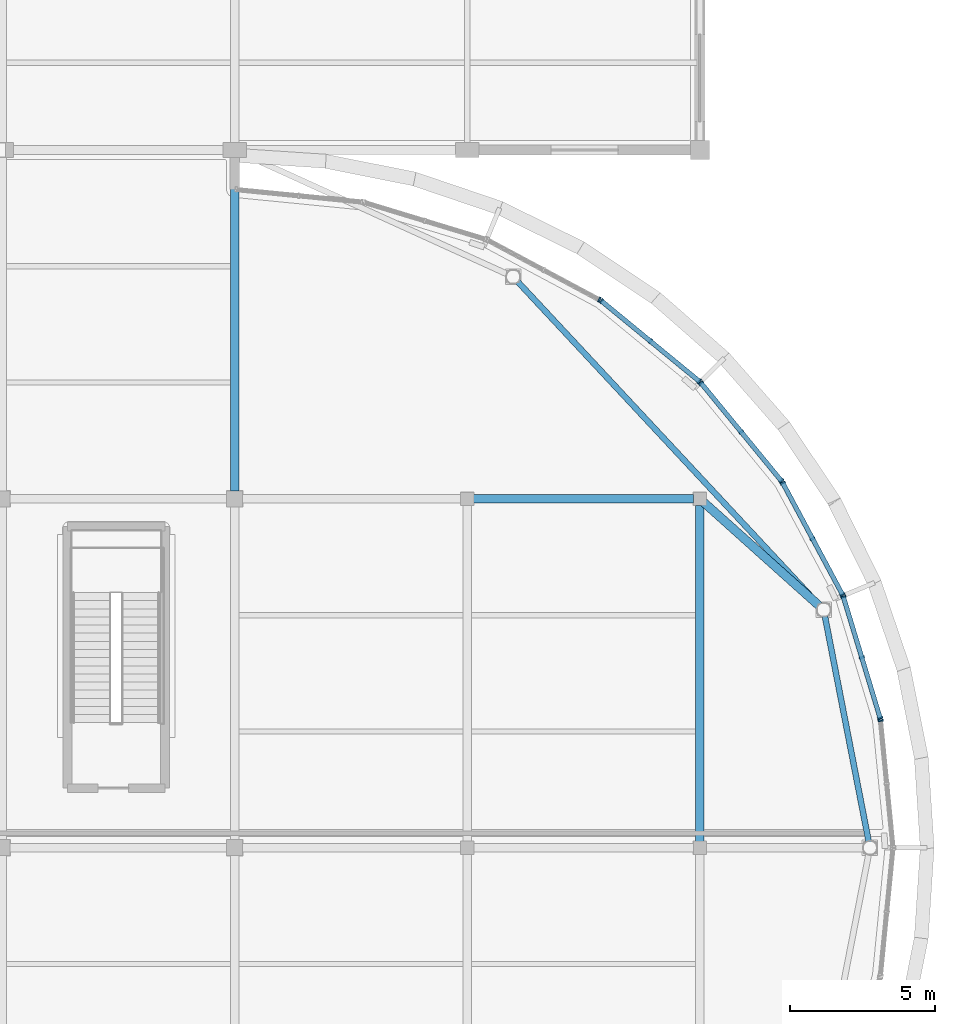
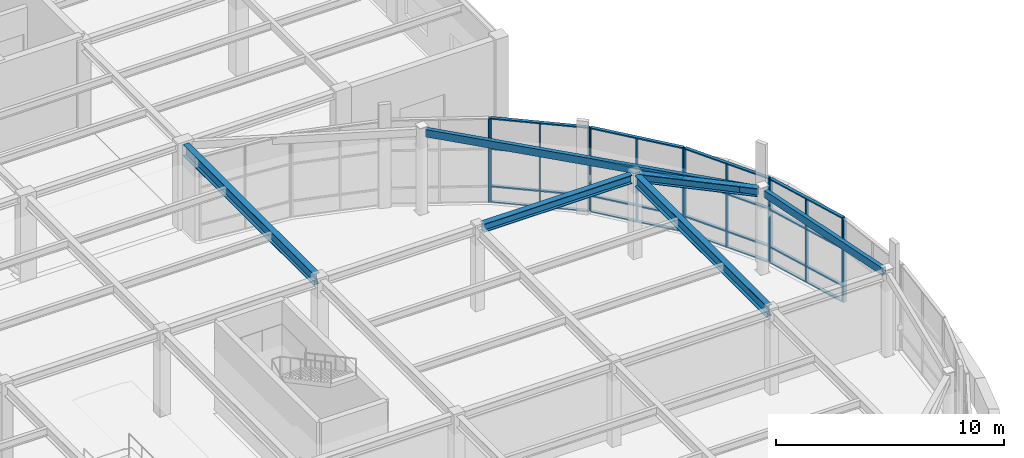
# One storey, part 28 of 63: 30 members, 6 beams, 6 elements without a shape of their own.
"""IFC4 building model written with IfcOpenShell, lengths in metres."""

from ifc_helpers import new_model, si_unit, direction, frame, origin, origin_2d, place, context, subcontext, project, spatial, rectangle, hollow_rectangle, i_section, extrude, material, layer, layer_set, material_profile, profile_set, type_object, element, aggregate, save


model = new_model("IFC4")

# Units and contexts
model_context = context("Model", 3, precision=1e-05, world=origin(), true_north=direction((0.0, 1.0)))
body_context = subcontext(model_context, "Body", "Model", "MODEL_VIEW")
ifc_project = project(units=[si_unit("LENGTHUNIT", "METRE"), si_unit("AREAUNIT", "SQUARE_METRE"), si_unit("VOLUMEUNIT", "CUBIC_METRE"), si_unit("PLANEANGLEUNIT", "RADIAN"), si_unit("MASSUNIT", "GRAM", prefix="KILO")], contexts=[model_context])

# Site, building, storey
site_placement = place(None, origin())
site = spatial("IfcSite", under=ifc_project, at=site_placement, CompositionType="ELEMENT")
building_placement = place(site_placement, origin())
building = spatial("IfcBuilding", under=site, at=building_placement, Name="Keelwater Ferry Terminal", CompositionType="ELEMENT")
storey_placement = place(building_placement, frame((0.0, 0.0, 10.199951171875)))
storey = spatial("IfcBuildingStorey", under=building, at=storey_placement, Name="L02", CompositionType="ELEMENT", Elevation=10.199951171875)

# Curtain wall, member
ifc_material_1 = material(Name="Thermally broken unitised aluminium and triple glass", Category="aluminium")
ifc_layer = layer(ifc_material_1, 0.179931640625)
ifc_layer_set = layer_set([ifc_layer], Name="Thermally broken unitised aluminium and triple glass")
curtain_wall_type = type_object("IfcCurtainWallType", Name="CW-19 Unitised Curtain Wall 4350x4480", PredefinedType="USERDEFINED", material=ifc_layer_set)
curtain_wall_1_placement = place(storey_placement, origin())
curtain_wall_1 = element("IfcCurtainWall", 1, at=curtain_wall_1_placement, inside=storey, type_object=curtain_wall_type, Name="Unitised Curtain Wall CW-L02-165", ObjectType="UNITISED CURTAIN WALL", PredefinedType="USERDEFINED")
ifc_material_2 = material(Name="Aluminium mullion", Category="aluminium")
ifc_material_profile_1 = material_profile(ifc_material_2, rectangle(XDim=0.06494140625, YDim=0.179931640625, at=origin_2d()), Name="CWM-01")
ifc_profile_set_1 = profile_set([ifc_material_profile_1], Name="Aluminium mullion")
member_type_1 = type_object("IfcMemberType", Name="CWM-01 Curtain Mullion 65x180", PredefinedType="MULLION", material=ifc_profile_set_1)
member_1_placement = place(storey_placement, frame((186.218994140625, 70.3740234375, 0.0), z_axis=(0.0, 0.0, 1.0), x_axis=(-0.098160737969, 0.995170573079, 0.0)))
member_1 = element("IfcMember", 2, at=member_1_placement, type_object=member_type_1, Name="CW-L02-165 Mullion 3", PredefinedType="MULLION", context=body_context, shape_type="SweptSolid", body=[
    extrude(rectangle(XDim=0.06494140625, YDim=0.179931640625, at=origin_2d()), origin(), (0.0, 0.0, 1.0), 4.47998046875),
])
aggregate(curtain_wall_1, [member_1])

# Curtain wall, members
curtain_wall_2_placement = place(storey_placement, origin())
curtain_wall_2 = element("IfcCurtainWall", 3, at=curtain_wall_2_placement, inside=storey, type_object=curtain_wall_type, Name="Unitised Curtain Wall CW-L02-166", ObjectType="UNITISED CURTAIN WALL", PredefinedType="USERDEFINED")
member_2_placement = place(storey_placement, frame((186.201904296875, 70.4619140625, 0.0), z_axis=(0.0, 0.0, 1.0), x_axis=(-0.290319989003, 0.956929623319, 0.0)))
member_2 = element("IfcMember", 4, at=member_2_placement, type_object=member_type_1, Name="CW-L02-166 Mullion 1", PredefinedType="MULLION", context=body_context, shape_type="SweptSolid", body=[
    extrude(rectangle(XDim=0.06494140625, YDim=0.179931640625, at=origin_2d()), origin(), (0.0, 0.0, 1.0), 4.47998046875),
])
member_3_placement = place(storey_placement, frame((185.570556640625, 72.54345703125, 0.0), z_axis=(0.0, 0.0, 1.0), x_axis=(-0.290319989003, 0.956929623319, 0.0)))
member_3 = element("IfcMember", 5, at=member_3_placement, type_object=member_type_1, Name="CW-L02-166 Mullion 2", PredefinedType="MULLION", context=body_context, shape_type="SweptSolid", body=[
    extrude(rectangle(XDim=0.06494140625, YDim=0.179931640625, at=origin_2d()), origin(), (0.0, 0.0, 1.0), 4.47998046875),
])
member_4_placement = place(storey_placement, frame((184.93896484375, 74.625, 0.0), z_axis=(0.0, 0.0, 1.0), x_axis=(-0.290319989003, 0.956929623319, 0.0)))
member_4 = element("IfcMember", 6, at=member_4_placement, type_object=member_type_1, Name="CW-L02-166 Mullion 3", PredefinedType="MULLION", context=body_context, shape_type="SweptSolid", body=[
    extrude(rectangle(XDim=0.06494140625, YDim=0.179931640625, at=origin_2d()), origin(), (0.0, 0.0, 1.0), 4.47998046875),
])

curtain_wall_3_placement = place(storey_placement, origin())
curtain_wall_3 = element("IfcCurtainWall", 7, at=curtain_wall_3_placement, inside=storey, type_object=curtain_wall_type, Name="Unitised Curtain Wall CW-L02-167", ObjectType="UNITISED CURTAIN WALL", PredefinedType="USERDEFINED")
member_5_placement = place(storey_placement, frame((184.905029296875, 74.7080078125, 0.0), z_axis=(0.0, 0.0, 1.0), x_axis=(-0.471506749303, 0.881862452632, 0.0)))
member_5 = element("IfcMember", 8, at=member_5_placement, type_object=member_type_1, Name="CW-L02-167 Mullion 1", PredefinedType="MULLION", context=body_context, shape_type="SweptSolid", body=[
    extrude(rectangle(XDim=0.06494140625, YDim=0.179931640625, at=origin_2d()), origin(), (0.0, 0.0, 1.0), 4.47998046875),
])
member_6_placement = place(storey_placement, frame((183.87939453125, 76.6259765625, 0.0), z_axis=(0.0, 0.0, 1.0), x_axis=(-0.471506749303, 0.881862452632, 0.0)))
member_6 = element("IfcMember", 9, at=member_6_placement, type_object=member_type_1, Name="CW-L02-167 Mullion 2", PredefinedType="MULLION", context=body_context, shape_type="SweptSolid", body=[
    extrude(rectangle(XDim=0.06494140625, YDim=0.179931640625, at=origin_2d()), origin(), (0.0, 0.0, 1.0), 4.47998046875),
])
member_7_placement = place(storey_placement, frame((182.85400390625, 78.5439453125, 0.0), z_axis=(0.0, 0.0, 1.0), x_axis=(-0.471506749303, 0.881862452632, 0.0)))
member_7 = element("IfcMember", 10, at=member_7_placement, type_object=member_type_1, Name="CW-L02-167 Mullion 3", PredefinedType="MULLION", context=body_context, shape_type="SweptSolid", body=[
    extrude(rectangle(XDim=0.06494140625, YDim=0.179931640625, at=origin_2d()), origin(), (0.0, 0.0, 1.0), 4.47998046875),
])

curtain_wall_4_placement = place(storey_placement, origin())
curtain_wall_4 = element("IfcCurtainWall", 11, at=curtain_wall_4_placement, inside=storey, type_object=curtain_wall_type, Name="Unitised Curtain Wall CW-L02-168", ObjectType="UNITISED CURTAIN WALL", PredefinedType="USERDEFINED")
member_8_placement = place(storey_placement, frame((182.803955078125, 78.618896484375, 0.0), z_axis=(0.0, 0.0, 1.0), x_axis=(-0.634376508991, 0.773024220086, 0.0)))
member_8 = element("IfcMember", 12, at=member_8_placement, type_object=member_type_1, Name="CW-L02-168 Mullion 1", PredefinedType="MULLION", context=body_context, shape_type="SweptSolid", body=[
    extrude(rectangle(XDim=0.06494140625, YDim=0.179931640625, at=origin_2d()), origin(), (0.0, 0.0, 1.0), 4.47998046875),
])
member_9_placement = place(storey_placement, frame((181.424560546875, 80.300048828125, 0.0), z_axis=(0.0, 0.0, 1.0), x_axis=(-0.634376508991, 0.773024220086, 0.0)))
member_9 = element("IfcMember", 13, at=member_9_placement, type_object=member_type_1, Name="CW-L02-168 Mullion 2", PredefinedType="MULLION", context=body_context, shape_type="SweptSolid", body=[
    extrude(rectangle(XDim=0.06494140625, YDim=0.179931640625, at=origin_2d()), origin(), (0.0, 0.0, 1.0), 4.47998046875),
])
member_10_placement = place(storey_placement, frame((180.044921875, 81.98095703125, 0.0), z_axis=(0.0, 0.0, 1.0), x_axis=(-0.634376508991, 0.773024220086, 0.0)))
member_10 = element("IfcMember", 14, at=member_10_placement, type_object=member_type_1, Name="CW-L02-168 Mullion 3", PredefinedType="MULLION", context=body_context, shape_type="SweptSolid", body=[
    extrude(rectangle(XDim=0.06494140625, YDim=0.179931640625, at=origin_2d()), origin(), (0.0, 0.0, 1.0), 4.47998046875),
])

curtain_wall_5_placement = place(storey_placement, origin())
curtain_wall_5 = element("IfcCurtainWall", 15, at=curtain_wall_5_placement, inside=storey, type_object=curtain_wall_type, Name="Unitised Curtain Wall CW-L02-169", ObjectType="UNITISED CURTAIN WALL", PredefinedType="USERDEFINED")
member_11_placement = place(storey_placement, frame((179.98095703125, 82.044921875, 0.0), z_axis=(0.0, 0.0, 1.0), x_axis=(-0.773024220086, 0.634376508991, 0.0)))
member_11 = element("IfcMember", 16, at=member_11_placement, type_object=member_type_1, Name="CW-L02-169 Mullion 1", PredefinedType="MULLION", context=body_context, shape_type="SweptSolid", body=[
    extrude(rectangle(XDim=0.06494140625, YDim=0.179931640625, at=origin_2d()), origin(), (0.0, 0.0, 1.0), 4.47998046875),
])
member_12_placement = place(storey_placement, frame((178.300048828125, 83.424560546875, 0.0), z_axis=(0.0, 0.0, 1.0), x_axis=(-0.773024220086, 0.634376508991, 0.0)))
member_12 = element("IfcMember", 17, at=member_12_placement, type_object=member_type_1, Name="CW-L02-169 Mullion 2", PredefinedType="MULLION", context=body_context, shape_type="SweptSolid", body=[
    extrude(rectangle(XDim=0.06494140625, YDim=0.179931640625, at=origin_2d()), origin(), (0.0, 0.0, 1.0), 4.47998046875),
])
member_13_placement = place(storey_placement, frame((176.618896484375, 84.803955078125, 0.0), z_axis=(0.0, 0.0, 1.0), x_axis=(-0.773024220086, 0.634376508991, 0.0)))
member_13 = element("IfcMember", 18, at=member_13_placement, type_object=member_type_1, Name="CW-L02-169 Mullion 3", PredefinedType="MULLION", context=body_context, shape_type="SweptSolid", body=[
    extrude(rectangle(XDim=0.06494140625, YDim=0.179931640625, at=origin_2d()), origin(), (0.0, 0.0, 1.0), 4.47998046875),
])

# Curtain wall, member
curtain_wall_6_placement = place(storey_placement, origin())
curtain_wall_6 = element("IfcCurtainWall", 19, at=curtain_wall_6_placement, inside=storey, type_object=curtain_wall_type, Name="Unitised Curtain Wall CW-L02-170", ObjectType="UNITISED CURTAIN WALL", PredefinedType="USERDEFINED")
member_14_placement = place(storey_placement, frame((176.5439453125, 84.85400390625, 0.0), z_axis=(0.0, 0.0, 1.0), x_axis=(-0.881862452632, 0.471506749303, 0.0)))
member_14 = element("IfcMember", 20, at=member_14_placement, type_object=member_type_1, Name="CW-L02-170 Mullion 1", PredefinedType="MULLION", context=body_context, shape_type="SweptSolid", body=[
    extrude(rectangle(XDim=0.06494140625, YDim=0.179931640625, at=origin_2d()), origin(), (0.0, 0.0, 1.0), 4.47998046875),
])
aggregate(curtain_wall_6, [member_14])

# Member
ifc_material_3 = material(Name="Aluminium mullion", Category="aluminium")
ifc_material_profile_2 = material_profile(ifc_material_3, rectangle(XDim=0.159912109375, YDim=0.06494140625, at=origin_2d()), Name="CWT-01")
ifc_profile_set_2 = profile_set([ifc_material_profile_2], Name="Aluminium mullion")
member_type_2 = type_object("IfcMemberType", Name="CWT-01 Curtain Transom 65x160", PredefinedType="USERDEFINED", material=ifc_profile_set_2)
member_15_placement = place(storey_placement, frame((186.201904296875, 70.4619140625, 0.0), z_axis=(-0.290301756665, 0.956935154583, 0.0), x_axis=(-0.956935154583, -0.290301756665, 0.0)))
member_15 = element("IfcMember", 21, at=member_15_placement, type_object=member_type_2, Name="CW-L02-166 Transom 1", ObjectType="TRANSOM", PredefinedType="USERDEFINED", context=body_context, shape_type="SweptSolid", body=[
    extrude(rectangle(XDim=0.159912109375, YDim=0.06494140625, at=origin_2d()), origin(), (0.0, 0.0, 1.0), 4.350341796875),
])

member_16_placement = place(storey_placement, frame((186.201904296875, 70.4619140625, 0.85009765625), z_axis=(-0.290301756665, 0.956935154583, 0.0), x_axis=(-0.956935154583, -0.290301756665, 0.0)))
member_16 = element("IfcMember", 22, at=member_16_placement, type_object=member_type_2, Name="CW-L02-166 Transom 2", ObjectType="TRANSOM", PredefinedType="USERDEFINED", context=body_context, shape_type="SweptSolid", body=[
    extrude(rectangle(XDim=0.159912109375, YDim=0.06494140625, at=origin_2d()), origin(), (0.0, 0.0, 1.0), 4.350341796875),
])

member_17_placement = place(storey_placement, frame((186.201904296875, 70.4619140625, 2.85009765625), z_axis=(-0.290301756665, 0.956935154583, 0.0), x_axis=(-0.956935154583, -0.290301756665, 0.0)))
member_17 = element("IfcMember", 23, at=member_17_placement, type_object=member_type_2, Name="CW-L02-166 Transom 3", ObjectType="TRANSOM", PredefinedType="USERDEFINED", context=body_context, shape_type="SweptSolid", body=[
    extrude(rectangle(XDim=0.159912109375, YDim=0.06494140625, at=origin_2d()), origin(), (0.0, 0.0, 1.0), 4.350341796875),
])

member_18_placement = place(storey_placement, frame((186.201904296875, 70.4619140625, 4.47998046875), z_axis=(-0.290301756665, 0.956935154583, 0.0), x_axis=(-0.956935154583, -0.290301756665, 0.0)))
member_18 = element("IfcMember", 24, at=member_18_placement, type_object=member_type_2, Name="CW-L02-166 Transom 4", ObjectType="TRANSOM", PredefinedType="USERDEFINED", context=body_context, shape_type="SweptSolid", body=[
    extrude(rectangle(XDim=0.159912109375, YDim=0.06494140625, at=origin_2d()), origin(), (0.0, 0.0, 1.0), 4.350341796875),
])

aggregate(curtain_wall_2, [member_2, member_3, member_4, member_15, member_16, member_17, member_18])

member_19_placement = place(storey_placement, frame((184.905029296875, 74.7080078125, 0.0), z_axis=(-0.471517263122, 0.881856831112, 0.0), x_axis=(-0.881856831112, -0.471517263122, 0.0)))
member_19 = element("IfcMember", 25, at=member_19_placement, type_object=member_type_2, Name="CW-L02-167 Transom 1", ObjectType="TRANSOM", PredefinedType="USERDEFINED", context=body_context, shape_type="SweptSolid", body=[
    extrude(rectangle(XDim=0.159912109375, YDim=0.06494140625, at=origin_2d()), origin(), (0.0, 0.0, 1.0), 4.349853515625),
])

member_20_placement = place(storey_placement, frame((184.905029296875, 74.7080078125, 0.85009765625), z_axis=(-0.471517263122, 0.881856831112, 0.0), x_axis=(-0.881856831112, -0.471517263122, 0.0)))
member_20 = element("IfcMember", 26, at=member_20_placement, type_object=member_type_2, Name="CW-L02-167 Transom 2", ObjectType="TRANSOM", PredefinedType="USERDEFINED", context=body_context, shape_type="SweptSolid", body=[
    extrude(rectangle(XDim=0.159912109375, YDim=0.06494140625, at=origin_2d()), origin(), (0.0, 0.0, 1.0), 4.349853515625),
])

member_21_placement = place(storey_placement, frame((184.905029296875, 74.7080078125, 2.85009765625), z_axis=(-0.471517263122, 0.881856831112, 0.0), x_axis=(-0.881856831112, -0.471517263122, 0.0)))
member_21 = element("IfcMember", 27, at=member_21_placement, type_object=member_type_2, Name="CW-L02-167 Transom 3", ObjectType="TRANSOM", PredefinedType="USERDEFINED", context=body_context, shape_type="SweptSolid", body=[
    extrude(rectangle(XDim=0.159912109375, YDim=0.06494140625, at=origin_2d()), origin(), (0.0, 0.0, 1.0), 4.349853515625),
])

member_22_placement = place(storey_placement, frame((184.905029296875, 74.7080078125, 4.47998046875), z_axis=(-0.471517263122, 0.881856831112, 0.0), x_axis=(-0.881856831112, -0.471517263122, 0.0)))
member_22 = element("IfcMember", 28, at=member_22_placement, type_object=member_type_2, Name="CW-L02-167 Transom 4", ObjectType="TRANSOM", PredefinedType="USERDEFINED", context=body_context, shape_type="SweptSolid", body=[
    extrude(rectangle(XDim=0.159912109375, YDim=0.06494140625, at=origin_2d()), origin(), (0.0, 0.0, 1.0), 4.349853515625),
])

aggregate(curtain_wall_3, [member_5, member_6, member_7, member_19, member_20, member_21, member_22])

member_23_placement = place(storey_placement, frame((182.803955078125, 78.618896484375, 0.0), z_axis=(-0.634374244118, 0.773026078732, 0.0), x_axis=(-0.773026078732, -0.634374244118, 0.0)))
member_23 = element("IfcMember", 29, at=member_23_placement, type_object=member_type_2, Name="CW-L02-168 Transom 1", ObjectType="TRANSOM", PredefinedType="USERDEFINED", context=body_context, shape_type="SweptSolid", body=[
    extrude(rectangle(XDim=0.159912109375, YDim=0.06494140625, at=origin_2d()), origin(), (0.0, 0.0, 1.0), 4.34912109375),
])

member_24_placement = place(storey_placement, frame((182.803955078125, 78.618896484375, 0.85009765625), z_axis=(-0.634374244118, 0.773026078732, 0.0), x_axis=(-0.773026078732, -0.634374244118, 0.0)))
member_24 = element("IfcMember", 30, at=member_24_placement, type_object=member_type_2, Name="CW-L02-168 Transom 2", ObjectType="TRANSOM", PredefinedType="USERDEFINED", context=body_context, shape_type="SweptSolid", body=[
    extrude(rectangle(XDim=0.159912109375, YDim=0.06494140625, at=origin_2d()), origin(), (0.0, 0.0, 1.0), 4.34912109375),
])

member_25_placement = place(storey_placement, frame((182.803955078125, 78.618896484375, 2.85009765625), z_axis=(-0.634374244118, 0.773026078732, 0.0), x_axis=(-0.773026078732, -0.634374244118, 0.0)))
member_25 = element("IfcMember", 31, at=member_25_placement, type_object=member_type_2, Name="CW-L02-168 Transom 3", ObjectType="TRANSOM", PredefinedType="USERDEFINED", context=body_context, shape_type="SweptSolid", body=[
    extrude(rectangle(XDim=0.159912109375, YDim=0.06494140625, at=origin_2d()), origin(), (0.0, 0.0, 1.0), 4.34912109375),
])

member_26_placement = place(storey_placement, frame((182.803955078125, 78.618896484375, 4.47998046875), z_axis=(-0.634374244118, 0.773026078732, 0.0), x_axis=(-0.773026078732, -0.634374244118, 0.0)))
member_26 = element("IfcMember", 32, at=member_26_placement, type_object=member_type_2, Name="CW-L02-168 Transom 4", ObjectType="TRANSOM", PredefinedType="USERDEFINED", context=body_context, shape_type="SweptSolid", body=[
    extrude(rectangle(XDim=0.159912109375, YDim=0.06494140625, at=origin_2d()), origin(), (0.0, 0.0, 1.0), 4.34912109375),
])

aggregate(curtain_wall_4, [member_8, member_9, member_10, member_23, member_24, member_25, member_26])

member_27_placement = place(storey_placement, frame((179.98095703125, 82.044921875, 0.0), z_axis=(-0.773026078732, 0.634374244118, 0.0), x_axis=(-0.634374244118, -0.773026078732, 0.0)))
member_27 = element("IfcMember", 33, at=member_27_placement, type_object=member_type_2, Name="CW-L02-169 Transom 1", ObjectType="TRANSOM", PredefinedType="USERDEFINED", context=body_context, shape_type="SweptSolid", body=[
    extrude(rectangle(XDim=0.159912109375, YDim=0.06494140625, at=origin_2d()), origin(), (0.0, 0.0, 1.0), 4.34912109375),
])

member_28_placement = place(storey_placement, frame((179.98095703125, 82.044921875, 0.85009765625), z_axis=(-0.773026078732, 0.634374244118, 0.0), x_axis=(-0.634374244118, -0.773026078732, 0.0)))
member_28 = element("IfcMember", 34, at=member_28_placement, type_object=member_type_2, Name="CW-L02-169 Transom 2", ObjectType="TRANSOM", PredefinedType="USERDEFINED", context=body_context, shape_type="SweptSolid", body=[
    extrude(rectangle(XDim=0.159912109375, YDim=0.06494140625, at=origin_2d()), origin(), (0.0, 0.0, 1.0), 4.34912109375),
])

member_29_placement = place(storey_placement, frame((179.98095703125, 82.044921875, 2.85009765625), z_axis=(-0.773026078732, 0.634374244118, 0.0), x_axis=(-0.634374244118, -0.773026078732, 0.0)))
member_29 = element("IfcMember", 35, at=member_29_placement, type_object=member_type_2, Name="CW-L02-169 Transom 3", ObjectType="TRANSOM", PredefinedType="USERDEFINED", context=body_context, shape_type="SweptSolid", body=[
    extrude(rectangle(XDim=0.159912109375, YDim=0.06494140625, at=origin_2d()), origin(), (0.0, 0.0, 1.0), 4.34912109375),
])

member_30_placement = place(storey_placement, frame((179.98095703125, 82.044921875, 4.47998046875), z_axis=(-0.773026078732, 0.634374244118, 0.0), x_axis=(-0.634374244118, -0.773026078732, 0.0)))
member_30 = element("IfcMember", 36, at=member_30_placement, type_object=member_type_2, Name="CW-L02-169 Transom 4", ObjectType="TRANSOM", PredefinedType="USERDEFINED", context=body_context, shape_type="SweptSolid", body=[
    extrude(rectangle(XDim=0.159912109375, YDim=0.06494140625, at=origin_2d()), origin(), (0.0, 0.0, 1.0), 4.34912109375),
])

aggregate(curtain_wall_5, [member_11, member_12, member_13, member_27, member_28, member_29, member_30])

# Beams
ifc_material_4 = material(Name="Steel S355", Category="steel")
ifc_material_profile_3 = material_profile(ifc_material_4, i_section(OverallWidth=0.300048828125, OverallDepth=0.60009765625, WebThickness=0.015380859375, FlangeThickness=0.030029296875, at=origin_2d()), Name="HEB 600")
ifc_profile_set_3 = profile_set([ifc_material_profile_3], Name="Steel S355")
beam_type_1 = type_object("IfcBeamType", Name="G3 HEB 600", PredefinedType="BEAM", material=ifc_profile_set_3)
beam_1_placement = place(storey_placement, frame((164.0, 78.27001953125, 4.219970703125), z_axis=(0.0, 1.0, 0.0), x_axis=(-1.0, 0.0, 0.0)))
element("IfcBeam", 37, at=beam_1_placement, inside=storey, type_object=beam_type_1, Name="Beam BM-L02-1132", PredefinedType="BEAM", context=body_context, shape_type="SweptSolid", body=[
    extrude(i_section(OverallWidth=0.300048828125, OverallDepth=0.60009765625, WebThickness=0.015380859375, FlangeThickness=0.030029296875, at=origin_2d()), origin(), (0.0, 0.0, 1.0), 11.48486328125),
])
ifc_material_5 = material(Name="Steel S355", Category="steel")
ifc_material_profile_4 = material_profile(ifc_material_5, i_section(OverallWidth=0.300048828125, OverallDepth=0.60009765625, WebThickness=0.015380859375, FlangeThickness=0.030029296875, at=origin_2d()), Name="HEB 600")
ifc_profile_set_4 = profile_set([ifc_material_profile_4], Name="Steel S355")
beam_type_2 = type_object("IfcBeamType", Name="G3E HEB 600", PredefinedType="BEAM", material=ifc_profile_set_4)
beam_2_placement = place(storey_placement, frame((180.0, 66.219970703125, 4.219970703125), z_axis=(0.0, 1.0, 0.0), x_axis=(-1.0, 0.0, 0.0)))
element("IfcBeam", 38, at=beam_2_placement, inside=storey, type_object=beam_type_2, Name="Beam BM-L02-1143", PredefinedType="BEAM", context=body_context, shape_type="SweptSolid", body=[
    extrude(i_section(OverallWidth=0.300048828125, OverallDepth=0.60009765625, WebThickness=0.015380859375, FlangeThickness=0.030029296875, at=origin_2d()), origin(), (0.0, 0.0, 1.0), 11.56005859375),
])
ifc_material_6 = material(Name="Steel S355", Category="steel")
ifc_material_profile_5 = material_profile(ifc_material_6, i_section(OverallWidth=0.300048828125, OverallDepth=0.449951171875, WebThickness=0.013916015625, FlangeThickness=0.02587890625, at=origin_2d()), Name="HEB 450")
ifc_profile_set_5 = profile_set([ifc_material_profile_5], Name="Steel S355")
beam_type_3 = type_object("IfcBeamType", Name="G6 HEB 450", PredefinedType="BEAM", material=ifc_profile_set_5)
beam_3_placement = place(storey_placement, frame((172.219970703125, 78.0, 4.295166015625), z_axis=(1.0, 0.0, 0.0), x_axis=(0.0, 1.0, 0.0)))
element("IfcBeam", 39, at=beam_3_placement, inside=storey, type_object=beam_type_3, Name="Beam BM-L02-1028", PredefinedType="BEAM", context=body_context, shape_type="SweptSolid", body=[
    extrude(i_section(OverallWidth=0.300048828125, OverallDepth=0.449951171875, WebThickness=0.013916015625, FlangeThickness=0.02587890625, at=origin_2d()), origin(), (0.0, 0.0, 1.0), 7.56005859375),
])
beam_4_placement = place(storey_placement, frame((184.116943359375, 74.31201171875, 4.295166015625), z_axis=(-0.74481402032, 0.667272114759, 0.0), x_axis=(-0.667272114759, -0.74481402032, 0.0)))
element("IfcBeam", 40, at=beam_4_placement, inside=storey, type_object=beam_type_3, Name="Beam BM-L02-1281", PredefinedType="BEAM", context=body_context, shape_type="SweptSolid", body=[
    extrude(i_section(OverallWidth=0.300048828125, OverallDepth=0.449951171875, WebThickness=0.013916015625, FlangeThickness=0.02587890625, at=origin_2d()), origin(), (0.0, 0.0, 1.0), 5.336669921875),
])
ifc_material_7 = material(Name="Steel S355", Category="steel")
ifc_material_profile_6 = material_profile(ifc_material_7, hollow_rectangle(XDim=0.199951171875, YDim=0.39990234375, WallThickness=0.01611328125, at=origin_2d()), Name="RHS 400x200x16")
ifc_profile_set_6 = profile_set([ifc_material_profile_6], Name="Steel S355")
beam_type_4 = type_object("IfcBeamType", Name="SP3E RHS 400x200x16", PredefinedType="SPANDREL", material=ifc_profile_set_6)
beam_5_placement = place(storey_placement, frame((173.7080078125, 85.5, 4.320068359375), z_axis=(0.681966371638, -0.731383529999, 0.0), x_axis=(0.731383529999, 0.681966371638, 0.0)))
element("IfcBeam", 41, at=beam_5_placement, inside=storey, type_object=beam_type_4, Name="Beam BM-L02-1276", PredefinedType="SPANDREL", context=body_context, shape_type="SweptSolid", body=[
    extrude(hollow_rectangle(XDim=0.199951171875, YDim=0.39990234375, WallThickness=0.01611328125, at=origin_2d()), origin(), (0.0, 0.0, 1.0), 15.28076171875),
])
beam_6_placement = place(storey_placement, frame((184.294921875, 73.998046875, 4.320068359375), z_axis=(0.190897579934, -0.981609960206, 0.0), x_axis=(0.981609960206, 0.190897579934, 0.0)))
element("IfcBeam", 42, at=beam_6_placement, inside=storey, type_object=beam_type_4, Name="Beam BM-L02-1277", PredefinedType="SPANDREL", context=body_context, shape_type="SweptSolid", body=[
    extrude(hollow_rectangle(XDim=0.199951171875, YDim=0.39990234375, WallThickness=0.01611328125, at=origin_2d()), origin(), (0.0, 0.0, 1.0), 7.957275390625),
])

save(model, "model.ifc")
